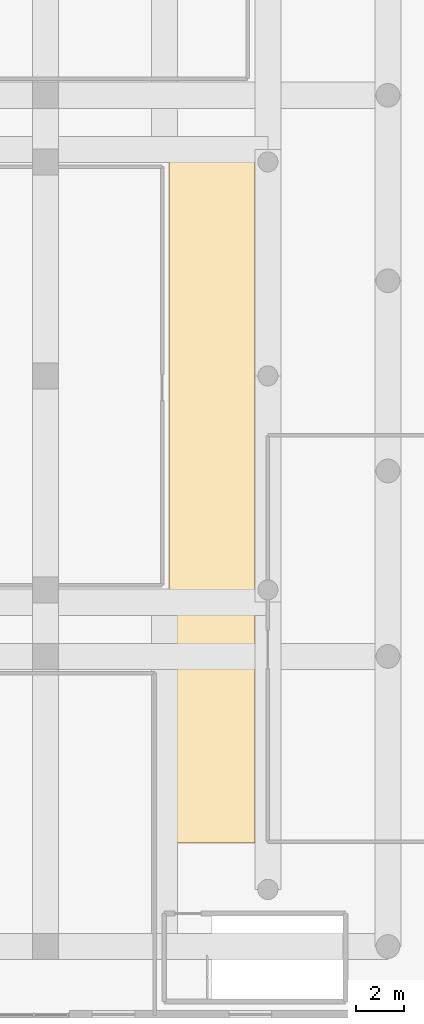
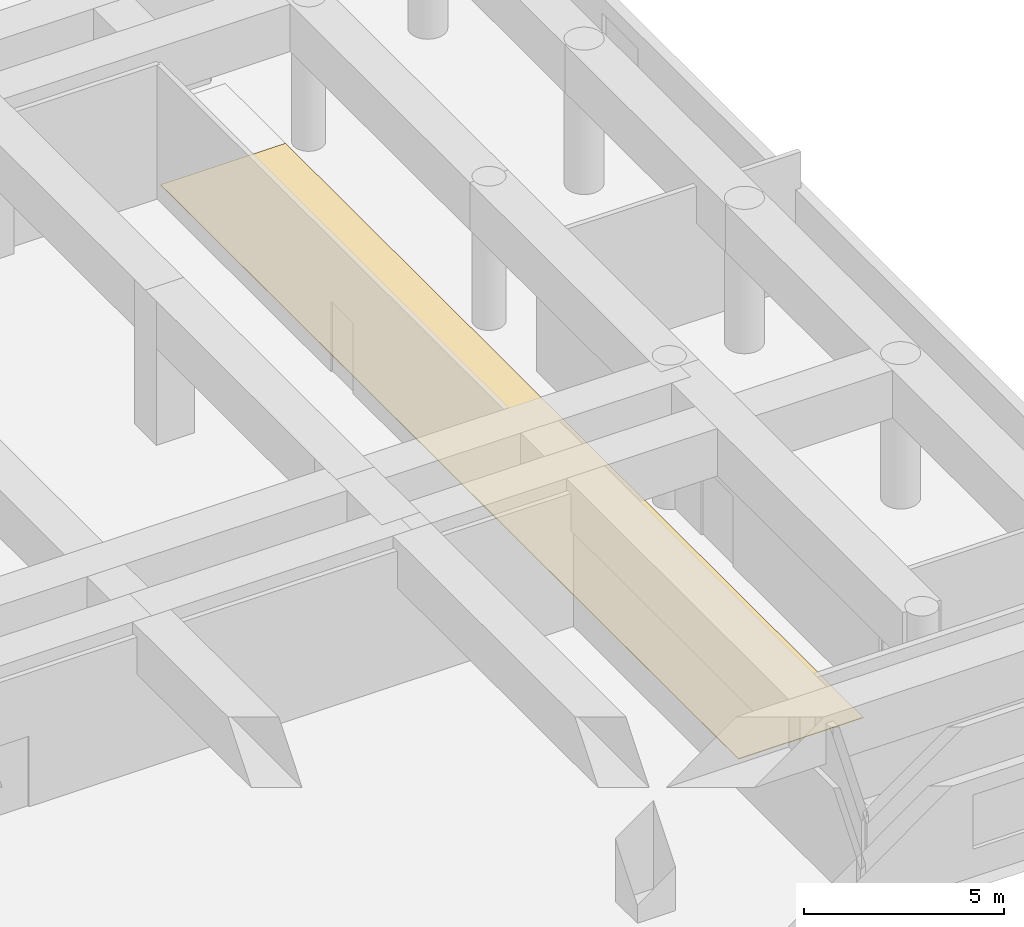
# One storey, part 28 of 28: 1 covering.
"""IFC4 building model written with IfcOpenShell, lengths in metres."""

import ifcopenshell
import ifcopenshell.guid

model = None  # the IFC model being written
_history = None  # IfcOwnerHistory: only IFC2X3 demands one
_inside = {}  # id of a spatial element -> (the spatial element, [elements in it])
_under = {}  # id of a project, library or spatial element -> (it, [spatial elements below it])
_declared = {}  # id of a project -> (the project, [libraries it declares])
_typed = {}  # id of a type object -> (the type object, [elements of that type])
_made_of = {}  # id of a material, layer set ... -> (it, [elements and type objects made of it])


def new_model(schema):
    """Start an empty IFC model of exactly this schema.

    Asked for "IFC4X3", IfcOpenShell would pick the latest addendum, in which some entities
    have other attributes; the version numbers below select the first issue.
    IFC2X3 requires an IfcOwnerHistory on every rooted entity: one is made here for all.
    """
    global model, _history
    if schema == "IFC4X3":
        model = ifcopenshell.file(schema_version=(4, 3, 0, 0))
    else:
        model = ifcopenshell.file(schema=schema)
    _inside.clear()
    _under.clear()
    _declared.clear()
    _typed.clear()
    _made_of.clear()
    _history = None
    if model.schema == "IFC2X3":
        org = make("IfcOrganization", Name="unknown")
        user = make(
            "IfcPersonAndOrganization",
            ThePerson=make("IfcPerson", FamilyName="unknown"),
            TheOrganization=org,
        )
        app = make(
            "IfcApplication",
            ApplicationDeveloper=org,
            Version="unknown",
            ApplicationFullName="unknown",
            ApplicationIdentifier="unknown",
        )
        _history = make(
            "IfcOwnerHistory",
            OwningUser=user,
            OwningApplication=app,
            ChangeAction="ADDED",
            CreationDate=0,
        )
    return model


def make(cls, **values):
    """One entity of the class cls with the attributes given. An attribute that is None is left unset."""
    return model.create_entity(
        cls, **{name: value for name, value in values.items() if value is not None}
    )


def rooted(cls, **values):
    """An entity with a GlobalId (a new one), such as an element, a storey or a relation."""
    return make(cls, GlobalId=ifcopenshell.guid.new(), OwnerHistory=_history, **values)


def si_unit(unit_type, name, prefix=None):
    """IfcSIUnit, for example si_unit("LENGTHUNIT", "METRE", prefix="MILLI")."""
    return make("IfcSIUnit", UnitType=unit_type, Prefix=prefix, Name=name)


def assignment(units):
    """IfcUnitAssignment: the units of a project."""
    return None if units is None else make("IfcUnitAssignment", Units=units)


def point(xyz):
    """IfcCartesianPoint."""
    return None if xyz is None else make("IfcCartesianPoint", Coordinates=xyz)


def direction(xyz):
    """IfcDirection."""
    return None if xyz is None else make("IfcDirection", DirectionRatios=xyz)


def frame(location, z_axis=None, x_axis=None):
    """IfcAxis2Placement3D, a coordinate frame: its origin and axes. An axis left out is left unset."""
    return make(
        "IfcAxis2Placement3D",
        Location=point(location),
        Axis=direction(z_axis),
        RefDirection=direction(x_axis),
    )


def origin():
    """The frame at (0, 0, 0) with its axes left unset."""
    return frame((0.0, 0.0, 0.0))


def place(relative_to, where):
    """IfcLocalPlacement: puts the frame where relative to a parent placement (None: the world)."""
    return make(
        "IfcLocalPlacement", PlacementRelTo=relative_to, RelativePlacement=where
    )


def context(
    kind, dimensions, precision=None, world=None, true_north=None, identifier=None
):
    """IfcGeometricRepresentationContext, for example the 3D "Model" context."""
    return make(
        "IfcGeometricRepresentationContext",
        ContextIdentifier=identifier,
        ContextType=kind,
        CoordinateSpaceDimension=dimensions,
        Precision=precision,
        WorldCoordinateSystem=world,
        TrueNorth=true_north,
    )


def subcontext(parent, identifier, kind, view, scale=None):
    """IfcGeometricRepresentationSubContext, for example "Body" below "Model"."""
    return make(
        "IfcGeometricRepresentationSubContext",
        ContextIdentifier=identifier,
        ContextType=kind,
        ParentContext=parent,
        TargetScale=scale,
        TargetView=view,
    )


def project(units=None, contexts=None):
    """IfcProject with its units and contexts."""
    return rooted(
        "IfcProject",
        Name="project",
        RepresentationContexts=contexts,
        UnitsInContext=assignment(units),
    )


def spatial(cls, under=None, at=None, **own):
    """A site, building, storey or space (cls), placed at a placement, below another one or the project."""
    s = rooted(cls, ObjectPlacement=at, **own)
    if under is not None:
        _under.setdefault(under.id(), (under, []))[1].append(s)
    return s


def polyline(points):
    """IfcPolyline through the points."""
    return make("IfcPolyline", Points=[point(p) for p in points])


def outline(outer, holes=None, kind="AREA"):
    """IfcArbitraryClosedProfileDef: a profile drawn as a closed curve; with holes, ...WithVoids."""
    if holes is None:
        return make("IfcArbitraryClosedProfileDef", ProfileType=kind, OuterCurve=outer)
    return make(
        "IfcArbitraryProfileDefWithVoids",
        ProfileType=kind,
        OuterCurve=outer,
        InnerCurves=holes,
    )


def extrude(swept, where, along, depth):
    """IfcExtrudedAreaSolid: the profile swept, set in the frame where, extruded along a direction by depth."""
    return make(
        "IfcExtrudedAreaSolid",
        SweptArea=swept,
        Position=where,
        ExtrudedDirection=direction(along),
        Depth=depth,
    )


def shape(context_of_items, identifier, shape_type, items):
    """IfcShapeRepresentation: the items that make up one representation, for example the "Body"."""
    return make(
        "IfcShapeRepresentation",
        ContextOfItems=context_of_items,
        RepresentationIdentifier=identifier,
        RepresentationType=shape_type,
        Items=items,
    )


def material(Name=None, Category=None):
    """IfcMaterial."""
    return make("IfcMaterial", Name=Name, Category=Category)


def layer(
    of_material, thickness, ventilated=None, Name=None, Category=None, Priority=None
):
    """IfcMaterialLayer: one layer of a wall or slab, of a material (None: an air gap)."""
    return make(
        "IfcMaterialLayer",
        Material=of_material,
        LayerThickness=thickness,
        IsVentilated=ventilated,
        Name=Name,
        Category=Category,
        Priority=Priority,
    )


def layer_set(layers, Name=None):
    """IfcMaterialLayerSet."""
    return make("IfcMaterialLayerSet", MaterialLayers=layers, LayerSetName=Name)


def made_of(thing, what):
    """Note that an element or type object is made of a material, layer set ...; save() writes the relation."""
    if what is not None:
        _made_of.setdefault(what.id(), (what, []))[1].append(thing)
    return thing


def type_object(cls, material=None, **own):
    """A type object (cls), such as IfcWallType, which elements share."""
    return made_of(rooted(cls, **own), material)


def element(
    cls,
    number,
    at=None,
    inside=None,
    cuts=None,
    type_object=None,
    material=None,
    context=None,
    identifier="Body",
    shape_type=None,
    held_by="IfcProductDefinitionShape",
    body=None,
    shapes=None,
    **own,
):
    """One element of the class cls, such as IfcWall. Its Tag is "e" and its number.

    at: its placement. inside: the storey or other place that contains it. cuts: it is an
    opening in that element (IfcRelVoidsElement). A single representation is given by context,
    identifier, shape_type and body (its items); several are given by shapes. held_by: the class
    of the entity that holds the representations. save() writes the other relations.
    """
    e = rooted(cls, Tag="e%d" % number, ObjectPlacement=at, **own)
    if body is not None:
        shapes = [shape(context, identifier, shape_type, body)]
    if shapes is not None:
        e.Representation = make(held_by, Representations=shapes)
    if inside is not None:
        _inside.setdefault(inside.id(), (inside, []))[1].append(e)
    if cuts is not None:
        rooted(
            "IfcRelVoidsElement", RelatingBuildingElement=cuts, RelatedOpeningElement=e
        )
    if type_object is not None:
        _typed.setdefault(type_object.id(), (type_object, []))[1].append(e)
    return made_of(e, material)


def aggregate(whole, parts):
    """IfcRelAggregates: a whole, such as a stair, and the parts it consists of."""
    return rooted("IfcRelAggregates", RelatingObject=whole, RelatedObjects=parts)


def save(model, path):
    """Write the relations noted so far, then the file.

    IfcRelAggregates (storeys below a building ...), IfcRelContainedInSpatialStructure (elements
    in a storey), IfcRelDefinesByType, IfcRelAssociatesMaterial and IfcRelDeclares: one each for
    every whole, place, type object, material and project.
    """
    for whole, parts in _under.values():
        aggregate(whole, parts)
    for where, things in _inside.values():
        rooted(
            "IfcRelContainedInSpatialStructure",
            RelatedElements=things,
            RelatingStructure=where,
        )
    for kind, things in _typed.values():
        rooted("IfcRelDefinesByType", RelatedObjects=things, RelatingType=kind)
    for what, things in _made_of.values():
        rooted("IfcRelAssociatesMaterial", RelatedObjects=things, RelatingMaterial=what)
    for by, libraries in _declared.values():
        rooted("IfcRelDeclares", RelatingContext=by, RelatedDefinitions=libraries)
    model.write(path)


model = new_model("IFC4")

# Units and contexts
model_context = context("Model", 3, precision=1e-05, world=origin(), true_north=direction((0.0, 1.0)))
body_context = subcontext(model_context, "Body", "Model", "MODEL_VIEW")
ifc_project = project(units=[si_unit("LENGTHUNIT", "METRE"), si_unit("AREAUNIT", "SQUARE_METRE"), si_unit("VOLUMEUNIT", "CUBIC_METRE"), si_unit("PLANEANGLEUNIT", "RADIAN"), si_unit("MASSUNIT", "GRAM", prefix="KILO")], contexts=[model_context])

# Site, building, storey
site_placement = place(None, origin())
site = spatial("IfcSite", under=ifc_project, at=site_placement, CompositionType="ELEMENT")
building_placement = place(site_placement, origin())
building = spatial("IfcBuilding", under=site, at=building_placement, Name="Saelheon Loggia Tower", CompositionType="ELEMENT")
storey_placement = place(building_placement, frame((0.0, 0.0, 15.0)))
storey = spatial("IfcBuildingStorey", under=building, at=storey_placement, Name="L04", CompositionType="ELEMENT", Elevation=15.0)

# Covering
ifc_material = material(Name="Vitrified Porcelain Floor Tile", Category="ceramic")
ifc_layer = layer(ifc_material, 0.02001953125)
ifc_layer_set = layer_set([ifc_layer], Name="Vitrified Porcelain Floor Tile")
covering_type = type_object("IfcCoveringType", Name="Cov_Floor_Porcelain", PredefinedType="FLOORING", material=ifc_layer_set)
covering_placement = place(storey_placement, origin())
element("IfcCovering", 1, at=covering_placement, inside=storey, type_object=covering_type, Name="L04 Corridor Porcelain Flooring", PredefinedType="FLOORING", context=body_context, shape_type="SweptSolid", body=[
    extrude(outline(polyline([(64.199951171875, 7.360107421875), (67.800048828125, 7.360107421875), (67.800048828125, 36.199951171875), (64.199951171875, 36.199951171875), (64.199951171875, 7.360107421875)])), origin(), (0.0, 0.0, 1.0), 0.02001953125),
])

save(model, "model.ifc")
